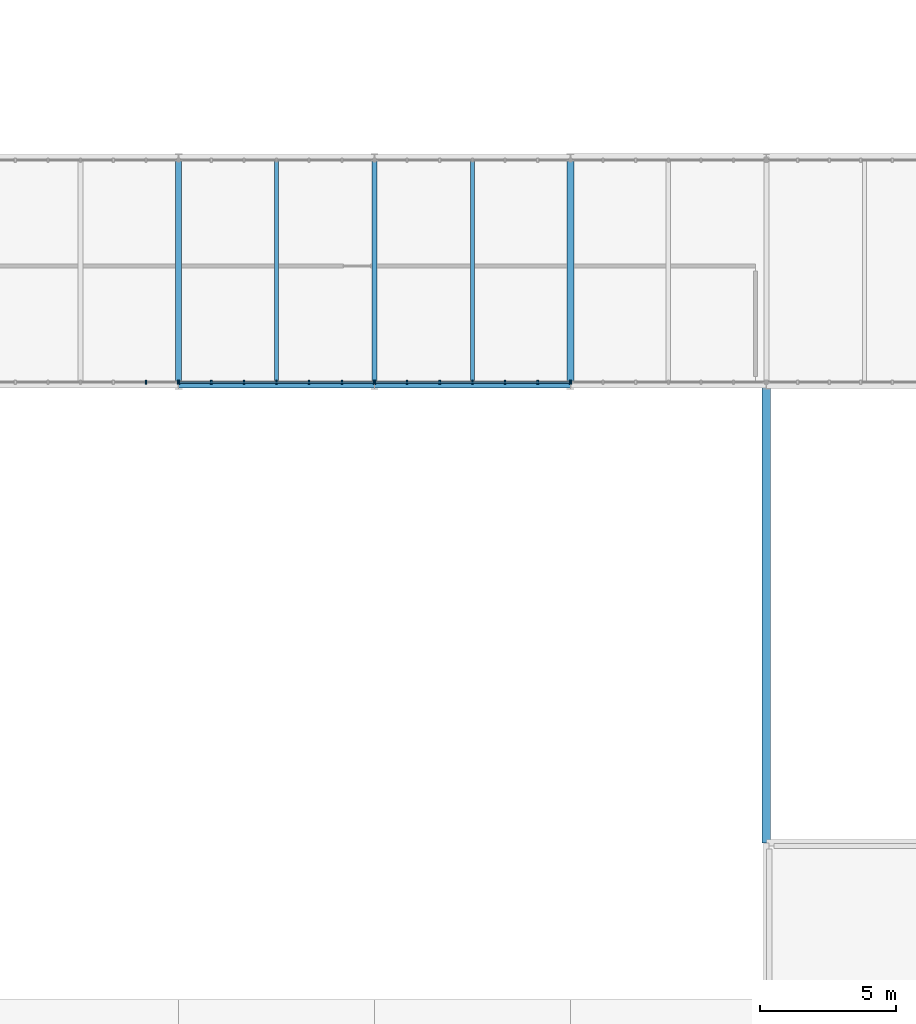
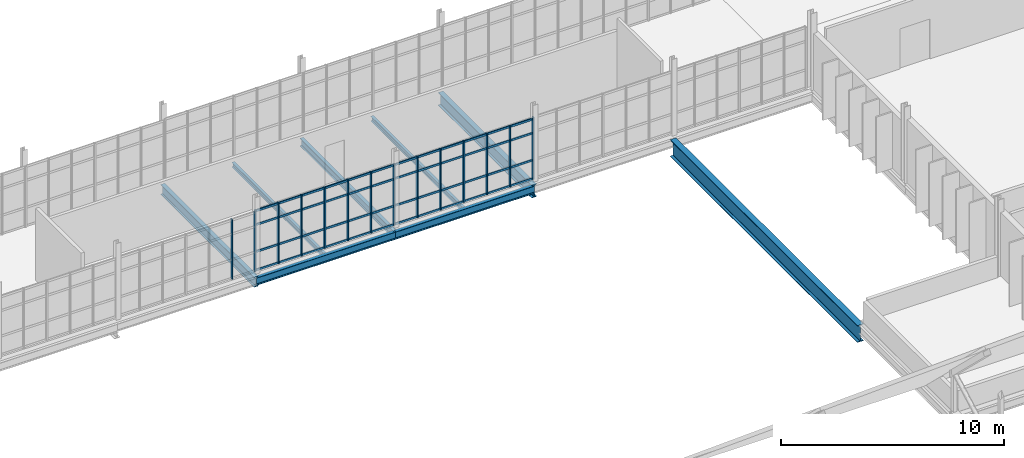
# One storey, part 32 of 99: 25 members, 8 beams, 4 elements without a shape of their own.
"""IFC4 building model written with IfcOpenShell, lengths in metres."""

from ifc_helpers import new_model, si_unit, direction, frame, origin, origin_2d, place, context, subcontext, project, spatial, rectangle, i_section, extrude, material, material_profile, profile_set, type_object, element, aggregate, save


model = new_model("IFC4")

# Units and contexts
model_context = context("Model", 3, precision=1e-05, world=origin(), true_north=direction((0.0, 1.0)))
body_context = subcontext(model_context, "Body", "Model", "MODEL_VIEW")
ifc_project = project(units=[si_unit("LENGTHUNIT", "METRE"), si_unit("AREAUNIT", "SQUARE_METRE"), si_unit("VOLUMEUNIT", "CUBIC_METRE"), si_unit("PLANEANGLEUNIT", "RADIAN"), si_unit("MASSUNIT", "GRAM", prefix="KILO")], contexts=[model_context])

# Site, building, storey
site_placement = place(None, origin())
site = spatial("IfcSite", under=ifc_project, at=site_placement, CompositionType="ELEMENT")
building_placement = place(site_placement, origin())
building = spatial("IfcBuilding", under=site, at=building_placement, Name="Qelthora Terrace Specialist Clinic", CompositionType="ELEMENT")
storey_placement = place(building_placement, frame((0.0, 0.0, 9.0)))
storey = spatial("IfcBuildingStorey", under=building, at=storey_placement, Name="L02", CompositionType="ELEMENT", Elevation=9.0)

# Beams
ifc_material_1 = material(Name="Steel S355", Category="steel")
ifc_material_profile_1 = material_profile(ifc_material_1, i_section(OverallWidth=0.178955078125, OverallDepth=0.409912109375, WebThickness=0.0087890625, FlangeThickness=0.014404296875, FilletRadius=0.011962890625, at=origin_2d()), Name="W410X67")
ifc_profile_set_1 = profile_set([ifc_material_profile_1], Name="Steel S355")
beam_type_1 = type_object("IfcBeamType", Name="BM-W410X67", PredefinedType="BEAM", material=ifc_profile_set_1)
beam_1_placement = place(storey_placement, frame((64.800048828125, 58.800048828125, -0.455078125), z_axis=(1.0, 0.0, 0.0), x_axis=(0.0, 1.0, 0.0)))
element("IfcBeam", 1, at=beam_1_placement, inside=storey, type_object=beam_type_1, Name="Girder BMX-L02-0640", PredefinedType="BEAM", context=body_context, shape_type="SweptSolid", body=[
    extrude(i_section(OverallWidth=0.178955078125, OverallDepth=0.409912109375, WebThickness=0.0087890625, FlangeThickness=0.014404296875, FilletRadius=0.011962890625, at=origin_2d()), origin(), (0.0, 0.0, 1.0), 7.199951171875),
])
ifc_material_profile_2 = material_profile(ifc_material_1, i_section(OverallWidth=0.179931640625, OverallDepth=0.4130859375, WebThickness=0.009765625, FlangeThickness=0.01611328125, FilletRadius=0.011962890625, at=origin_2d()), Name="W410X75")
ifc_profile_set_2 = profile_set([ifc_material_profile_2], Name="Steel S355")
beam_type_2 = type_object("IfcBeamType", Name="BM-W410X75", PredefinedType="BEAM", material=ifc_profile_set_2)
beam_2_placement = place(storey_placement, frame((72.0, 58.800048828125, -0.45654296875), z_axis=(1.0, 0.0, 0.0), x_axis=(0.0, 1.0, 0.0)))
element("IfcBeam", 2, at=beam_2_placement, inside=storey, type_object=beam_type_2, Name="Girder BMX-L02-0641", PredefinedType="BEAM", context=body_context, shape_type="SweptSolid", body=[
    extrude(i_section(OverallWidth=0.179931640625, OverallDepth=0.4130859375, WebThickness=0.009765625, FlangeThickness=0.01611328125, FilletRadius=0.011962890625, at=origin_2d()), origin(), (0.0, 0.0, 1.0), 7.199951171875),
])
beam_3_placement = place(storey_placement, frame((72.0, 58.800048828125, -0.45654296875), z_axis=(0.0, 1.0, 0.0), x_axis=(-1.0, 0.0, 0.0)))
element("IfcBeam", 3, at=beam_3_placement, inside=storey, type_object=beam_type_2, Name="Girder BMY-L02-0819", PredefinedType="BEAM", context=body_context, shape_type="SweptSolid", body=[
    extrude(i_section(OverallWidth=0.179931640625, OverallDepth=0.4130859375, WebThickness=0.009765625, FlangeThickness=0.01611328125, FilletRadius=0.011962890625, at=origin_2d()), origin(), (0.0, 0.0, 1.0), 8.39990234375),
])
ifc_material_profile_3 = material_profile(ifc_material_1, i_section(OverallWidth=0.2119140625, OverallDepth=0.5439453125, WebThickness=0.01318359375, FlangeThickness=0.021240234375, FilletRadius=0.013916015625, at=origin_2d()), Name="W530X123")
ifc_profile_set_3 = profile_set([ifc_material_profile_3], Name="Steel S355")
beam_type_3 = type_object("IfcBeamType", Name="BM-W530X123", PredefinedType="BEAM", material=ifc_profile_set_3)
beam_4_placement = place(storey_placement, frame((64.800048828125, 58.800048828125, -0.52197265625), z_axis=(0.0, 1.0, 0.0), x_axis=(-1.0, 0.0, 0.0)))
element("IfcBeam", 4, at=beam_4_placement, inside=storey, type_object=beam_type_3, Name="Girder BMY-L02-0815", PredefinedType="BEAM", context=body_context, shape_type="SweptSolid", body=[
    extrude(i_section(OverallWidth=0.2119140625, OverallDepth=0.5439453125, WebThickness=0.01318359375, FlangeThickness=0.021240234375, FilletRadius=0.013916015625, at=origin_2d()), origin(), (0.0, 0.0, 1.0), 8.39990234375),
])
ifc_material_profile_4 = material_profile(ifc_material_1, i_section(OverallWidth=0.256103515625, OverallDepth=0.693115234375, WebThickness=0.014404296875, FlangeThickness=0.023681640625, FilletRadius=0.01806640625, at=origin_2d()), Name="W690X170")
ifc_profile_set_4 = profile_set([ifc_material_profile_4], Name="Steel S355")
beam_type_4 = type_object("IfcBeamType", Name="BM-W690X170", PredefinedType="BEAM", material=ifc_profile_set_4)
beam_5_placement = place(storey_placement, frame((79.199951171875, 58.800048828125, -0.596435546875), z_axis=(0.0, 1.0, 0.0), x_axis=(-1.0, 0.0, 0.0)))
element("IfcBeam", 5, at=beam_5_placement, inside=storey, type_object=beam_type_4, Name="Girder BMY-L02-0823", PredefinedType="BEAM", context=body_context, shape_type="SweptSolid", body=[
    extrude(i_section(OverallWidth=0.256103515625, OverallDepth=0.693115234375, WebThickness=0.014404296875, FlangeThickness=0.023681640625, FilletRadius=0.01806640625, at=origin_2d()), origin(), (0.0, 0.0, 1.0), 8.39990234375),
])
ifc_material_profile_5 = material_profile(ifc_material_1, i_section(OverallWidth=0.30810546875, OverallDepth=0.927001953125, WebThickness=0.019287109375, FlangeThickness=0.031982421875, FilletRadius=0.02197265625, at=origin_2d()), Name="W920X289")
ifc_profile_set_5 = profile_set([ifc_material_profile_5], Name="Steel S355")
beam_type_5 = type_object("IfcBeamType", Name="BM-W920X289", PredefinedType="BEAM", material=ifc_profile_set_5)
beam_6_placement = place(storey_placement, frame((86.39990234375, 42.0, -0.71337890625), z_axis=(0.0, 1.0, 0.0), x_axis=(-1.0, 0.0, 0.0)))
element("IfcBeam", 6, at=beam_6_placement, inside=storey, type_object=beam_type_5, Name="Girder BMY-L02-0828", PredefinedType="BEAM", context=body_context, shape_type="SweptSolid", body=[
    extrude(i_section(OverallWidth=0.30810546875, OverallDepth=0.927001953125, WebThickness=0.019287109375, FlangeThickness=0.031982421875, FilletRadius=0.02197265625, at=origin_2d()), origin(), (0.0, 0.0, 1.0), 16.800048828125),
])

# Curtain wall, members
ifc_material_2 = material(Name="Aluminium anodized bronze", Category="aluminium")
curtain_wall_type = type_object("IfcCurtainWallType", Name="CW-BRG-L02", PredefinedType="NOTDEFINED", material=ifc_material_2)
curtain_wall_1_placement = place(storey_placement, origin())
curtain_wall_1 = element("IfcCurtainWall", 7, at=curtain_wall_1_placement, inside=storey, type_object=curtain_wall_type, Name="Curtain wall CW-L02-263", PredefinedType="NOTDEFINED")
ifc_material_profile_6 = material_profile(ifc_material_2, rectangle(XDim=0.06005859375, YDim=0.14990234375, at=origin_2d()), Name="CWM60X150")
ifc_profile_set_6 = profile_set([ifc_material_profile_6], Name="Aluminium anodized bronze")
member_type_1 = type_object("IfcMemberType", Name="CWM-60X150", PredefinedType="MULLION", material=ifc_profile_set_6)
member_1_placement = place(storey_placement, frame((63.60009765625, 58.919921875, 0.0), z_axis=(0.0, 0.0, 1.0), x_axis=(1.0, 0.0, 0.0)))
member_1 = element("IfcMember", 8, at=member_1_placement, type_object=member_type_1, Name="CW-L02-263 mullion 6", PredefinedType="MULLION", context=body_context, shape_type="SweptSolid", body=[
    extrude(rectangle(XDim=0.06005859375, YDim=0.14990234375, at=origin_2d()), origin(), (0.0, 0.0, 1.0), 3.25390625),
])
member_2_placement = place(storey_placement, frame((64.780029296875, 58.919921875, 0.0), z_axis=(0.0, 0.0, 1.0), x_axis=(1.0, 0.0, 0.0)))
member_2 = element("IfcMember", 9, at=member_2_placement, type_object=member_type_1, Name="CW-L02-263 mullion 7", PredefinedType="MULLION", context=body_context, shape_type="SweptSolid", body=[
    extrude(rectangle(XDim=0.06005859375, YDim=0.14990234375, at=origin_2d()), origin(), (0.0, 0.0, 1.0), 3.25390625),
])
aggregate(curtain_wall_1, [member_1, member_2])

curtain_wall_2_placement = place(storey_placement, origin())
curtain_wall_2 = element("IfcCurtainWall", 10, at=curtain_wall_2_placement, inside=storey, type_object=curtain_wall_type, Name="Curtain wall CW-L02-264", PredefinedType="NOTDEFINED")
member_3_placement = place(storey_placement, frame((64.820068359375, 58.919921875, 0.0), z_axis=(0.0, 0.0, 1.0), x_axis=(1.0, 0.0, 0.0)))
member_3 = element("IfcMember", 11, at=member_3_placement, type_object=member_type_1, Name="CW-L02-264 mullion 1", PredefinedType="MULLION", context=body_context, shape_type="SweptSolid", body=[
    extrude(rectangle(XDim=0.06005859375, YDim=0.14990234375, at=origin_2d()), origin(), (0.0, 0.0, 1.0), 3.324951171875),
])
member_4_placement = place(storey_placement, frame((66.0, 58.919921875, 0.0), z_axis=(0.0, 0.0, 1.0), x_axis=(1.0, 0.0, 0.0)))
member_4 = element("IfcMember", 12, at=member_4_placement, type_object=member_type_1, Name="CW-L02-264 mullion 2", PredefinedType="MULLION", context=body_context, shape_type="SweptSolid", body=[
    extrude(rectangle(XDim=0.06005859375, YDim=0.14990234375, at=origin_2d()), origin(), (0.0, 0.0, 1.0), 3.324951171875),
])
member_5_placement = place(storey_placement, frame((67.199951171875, 58.919921875, 0.0), z_axis=(0.0, 0.0, 1.0), x_axis=(1.0, 0.0, 0.0)))
member_5 = element("IfcMember", 13, at=member_5_placement, type_object=member_type_1, Name="CW-L02-264 mullion 3", PredefinedType="MULLION", context=body_context, shape_type="SweptSolid", body=[
    extrude(rectangle(XDim=0.06005859375, YDim=0.14990234375, at=origin_2d()), origin(), (0.0, 0.0, 1.0), 3.324951171875),
])
member_6_placement = place(storey_placement, frame((68.39990234375, 58.919921875, 0.0), z_axis=(0.0, 0.0, 1.0), x_axis=(1.0, 0.0, 0.0)))
member_6 = element("IfcMember", 14, at=member_6_placement, type_object=member_type_1, Name="CW-L02-264 mullion 4", PredefinedType="MULLION", context=body_context, shape_type="SweptSolid", body=[
    extrude(rectangle(XDim=0.06005859375, YDim=0.14990234375, at=origin_2d()), origin(), (0.0, 0.0, 1.0), 3.324951171875),
])
member_7_placement = place(storey_placement, frame((69.60009765625, 58.919921875, 0.0), z_axis=(0.0, 0.0, 1.0), x_axis=(1.0, 0.0, 0.0)))
member_7 = element("IfcMember", 15, at=member_7_placement, type_object=member_type_1, Name="CW-L02-264 mullion 5", PredefinedType="MULLION", context=body_context, shape_type="SweptSolid", body=[
    extrude(rectangle(XDim=0.06005859375, YDim=0.14990234375, at=origin_2d()), origin(), (0.0, 0.0, 1.0), 3.324951171875),
])
member_8_placement = place(storey_placement, frame((70.800048828125, 58.919921875, 0.0), z_axis=(0.0, 0.0, 1.0), x_axis=(1.0, 0.0, 0.0)))
member_8 = element("IfcMember", 16, at=member_8_placement, type_object=member_type_1, Name="CW-L02-264 mullion 6", PredefinedType="MULLION", context=body_context, shape_type="SweptSolid", body=[
    extrude(rectangle(XDim=0.06005859375, YDim=0.14990234375, at=origin_2d()), origin(), (0.0, 0.0, 1.0), 3.324951171875),
])
member_9_placement = place(storey_placement, frame((71.97998046875, 58.919921875, 0.0), z_axis=(0.0, 0.0, 1.0), x_axis=(1.0, 0.0, 0.0)))
member_9 = element("IfcMember", 17, at=member_9_placement, type_object=member_type_1, Name="CW-L02-264 mullion 7", PredefinedType="MULLION", context=body_context, shape_type="SweptSolid", body=[
    extrude(rectangle(XDim=0.06005859375, YDim=0.14990234375, at=origin_2d()), origin(), (0.0, 0.0, 1.0), 3.324951171875),
])

curtain_wall_3_placement = place(storey_placement, origin())
curtain_wall_3 = element("IfcCurtainWall", 18, at=curtain_wall_3_placement, inside=storey, type_object=curtain_wall_type, Name="Curtain wall CW-L02-265", PredefinedType="NOTDEFINED")
member_10_placement = place(storey_placement, frame((72.02001953125, 58.919921875, 0.0), z_axis=(0.0, 0.0, 1.0), x_axis=(1.0, 0.0, 0.0)))
member_10 = element("IfcMember", 19, at=member_10_placement, type_object=member_type_1, Name="CW-L02-265 mullion 1", PredefinedType="MULLION", context=body_context, shape_type="SweptSolid", body=[
    extrude(rectangle(XDim=0.06005859375, YDim=0.14990234375, at=origin_2d()), origin(), (0.0, 0.0, 1.0), 3.330078125),
])
member_11_placement = place(storey_placement, frame((73.199951171875, 58.919921875, 0.0), z_axis=(0.0, 0.0, 1.0), x_axis=(1.0, 0.0, 0.0)))
member_11 = element("IfcMember", 20, at=member_11_placement, type_object=member_type_1, Name="CW-L02-265 mullion 2", PredefinedType="MULLION", context=body_context, shape_type="SweptSolid", body=[
    extrude(rectangle(XDim=0.06005859375, YDim=0.14990234375, at=origin_2d()), origin(), (0.0, 0.0, 1.0), 3.330078125),
])
member_12_placement = place(storey_placement, frame((74.39990234375, 58.919921875, 0.0), z_axis=(0.0, 0.0, 1.0), x_axis=(1.0, 0.0, 0.0)))
member_12 = element("IfcMember", 21, at=member_12_placement, type_object=member_type_1, Name="CW-L02-265 mullion 3", PredefinedType="MULLION", context=body_context, shape_type="SweptSolid", body=[
    extrude(rectangle(XDim=0.06005859375, YDim=0.14990234375, at=origin_2d()), origin(), (0.0, 0.0, 1.0), 3.330078125),
])
member_13_placement = place(storey_placement, frame((75.60009765625, 58.919921875, 0.0), z_axis=(0.0, 0.0, 1.0), x_axis=(1.0, 0.0, 0.0)))
member_13 = element("IfcMember", 22, at=member_13_placement, type_object=member_type_1, Name="CW-L02-265 mullion 4", PredefinedType="MULLION", context=body_context, shape_type="SweptSolid", body=[
    extrude(rectangle(XDim=0.06005859375, YDim=0.14990234375, at=origin_2d()), origin(), (0.0, 0.0, 1.0), 3.330078125),
])
member_14_placement = place(storey_placement, frame((76.800048828125, 58.919921875, 0.0), z_axis=(0.0, 0.0, 1.0), x_axis=(1.0, 0.0, 0.0)))
member_14 = element("IfcMember", 23, at=member_14_placement, type_object=member_type_1, Name="CW-L02-265 mullion 5", PredefinedType="MULLION", context=body_context, shape_type="SweptSolid", body=[
    extrude(rectangle(XDim=0.06005859375, YDim=0.14990234375, at=origin_2d()), origin(), (0.0, 0.0, 1.0), 3.330078125),
])
member_15_placement = place(storey_placement, frame((78.0, 58.919921875, 0.0), z_axis=(0.0, 0.0, 1.0), x_axis=(1.0, 0.0, 0.0)))
member_15 = element("IfcMember", 24, at=member_15_placement, type_object=member_type_1, Name="CW-L02-265 mullion 6", PredefinedType="MULLION", context=body_context, shape_type="SweptSolid", body=[
    extrude(rectangle(XDim=0.06005859375, YDim=0.14990234375, at=origin_2d()), origin(), (0.0, 0.0, 1.0), 3.330078125),
])
member_16_placement = place(storey_placement, frame((79.179931640625, 58.919921875, 0.0), z_axis=(0.0, 0.0, 1.0), x_axis=(1.0, 0.0, 0.0)))
member_16 = element("IfcMember", 25, at=member_16_placement, type_object=member_type_1, Name="CW-L02-265 mullion 7", PredefinedType="MULLION", context=body_context, shape_type="SweptSolid", body=[
    extrude(rectangle(XDim=0.06005859375, YDim=0.14990234375, at=origin_2d()), origin(), (0.0, 0.0, 1.0), 3.330078125),
])

# Curtain wall, member
curtain_wall_4_placement = place(storey_placement, origin())
curtain_wall_4 = element("IfcCurtainWall", 26, at=curtain_wall_4_placement, inside=storey, type_object=curtain_wall_type, Name="Curtain wall CW-L02-266", PredefinedType="NOTDEFINED")
member_17_placement = place(storey_placement, frame((79.219970703125, 58.919921875, 0.0), z_axis=(0.0, 0.0, 1.0), x_axis=(1.0, 0.0, 0.0)))
member_17 = element("IfcMember", 27, at=member_17_placement, type_object=member_type_1, Name="CW-L02-266 mullion 1", PredefinedType="MULLION", context=body_context, shape_type="SweptSolid", body=[
    extrude(rectangle(XDim=0.06005859375, YDim=0.14990234375, at=origin_2d()), origin(), (0.0, 0.0, 1.0), 3.39794921875),
])
aggregate(curtain_wall_4, [member_17])

# Member
ifc_material_profile_7 = material_profile(ifc_material_2, rectangle(XDim=0.06005859375, YDim=0.110107421875, at=origin_2d()), Name="CWT60X110")
ifc_profile_set_7 = profile_set([ifc_material_profile_7], Name="Aluminium anodized bronze")
member_type_2 = type_object("IfcMemberType", Name="CWT-60X110", PredefinedType="USERDEFINED", material=ifc_profile_set_7)
member_18_placement = place(storey_placement, frame((64.840087890625, 58.919921875, 0.0400390625), z_axis=(1.0, 0.0, 0.0), x_axis=(0.0, 1.0, 0.0)))
member_18 = element("IfcMember", 28, at=member_18_placement, type_object=member_type_2, Name="CW-L02-264 transom 1", ObjectType="TRANSOM", PredefinedType="USERDEFINED", context=body_context, shape_type="SweptSolid", body=[
    extrude(rectangle(XDim=0.06005859375, YDim=0.110107421875, at=origin_2d()), origin(), (0.0, 0.0, 1.0), 7.119873046875),
])

member_19_placement = place(storey_placement, frame((64.840087890625, 58.919921875, 1.050048828125), z_axis=(1.0, 0.0, 0.0), x_axis=(0.0, 1.0, 0.0)))
member_19 = element("IfcMember", 29, at=member_19_placement, type_object=member_type_2, Name="CW-L02-264 transom 2", ObjectType="TRANSOM", PredefinedType="USERDEFINED", context=body_context, shape_type="SweptSolid", body=[
    extrude(rectangle(XDim=0.06005859375, YDim=0.110107421875, at=origin_2d()), origin(), (0.0, 0.0, 1.0), 7.119873046875),
])

member_20_placement = place(storey_placement, frame((64.840087890625, 58.919921875, 2.52490234375), z_axis=(1.0, 0.0, 0.0), x_axis=(0.0, 1.0, 0.0)))
member_20 = element("IfcMember", 30, at=member_20_placement, type_object=member_type_2, Name="CW-L02-264 transom 3", ObjectType="TRANSOM", PredefinedType="USERDEFINED", context=body_context, shape_type="SweptSolid", body=[
    extrude(rectangle(XDim=0.06005859375, YDim=0.110107421875, at=origin_2d()), origin(), (0.0, 0.0, 1.0), 7.119873046875),
])

member_21_placement = place(storey_placement, frame((64.840087890625, 58.919921875, 3.284912109375), z_axis=(1.0, 0.0, 0.0), x_axis=(0.0, 1.0, 0.0)))
member_21 = element("IfcMember", 31, at=member_21_placement, type_object=member_type_2, Name="CW-L02-264 transom 4", ObjectType="TRANSOM", PredefinedType="USERDEFINED", context=body_context, shape_type="SweptSolid", body=[
    extrude(rectangle(XDim=0.06005859375, YDim=0.110107421875, at=origin_2d()), origin(), (0.0, 0.0, 1.0), 7.119873046875),
])

aggregate(curtain_wall_2, [member_3, member_4, member_5, member_6, member_7, member_8, member_9, member_18, member_19, member_20, member_21])

member_22_placement = place(storey_placement, frame((72.0400390625, 58.919921875, 0.0400390625), z_axis=(1.0, 0.0, 0.0), x_axis=(0.0, 1.0, 0.0)))
member_22 = element("IfcMember", 32, at=member_22_placement, type_object=member_type_2, Name="CW-L02-265 transom 1", ObjectType="TRANSOM", PredefinedType="USERDEFINED", context=body_context, shape_type="SweptSolid", body=[
    extrude(rectangle(XDim=0.06005859375, YDim=0.110107421875, at=origin_2d()), origin(), (0.0, 0.0, 1.0), 7.119873046875),
])

member_23_placement = place(storey_placement, frame((72.0400390625, 58.919921875, 1.050048828125), z_axis=(1.0, 0.0, 0.0), x_axis=(0.0, 1.0, 0.0)))
member_23 = element("IfcMember", 33, at=member_23_placement, type_object=member_type_2, Name="CW-L02-265 transom 2", ObjectType="TRANSOM", PredefinedType="USERDEFINED", context=body_context, shape_type="SweptSolid", body=[
    extrude(rectangle(XDim=0.06005859375, YDim=0.110107421875, at=origin_2d()), origin(), (0.0, 0.0, 1.0), 7.119873046875),
])

member_24_placement = place(storey_placement, frame((72.0400390625, 58.919921875, 2.530029296875), z_axis=(1.0, 0.0, 0.0), x_axis=(0.0, 1.0, 0.0)))
member_24 = element("IfcMember", 34, at=member_24_placement, type_object=member_type_2, Name="CW-L02-265 transom 3", ObjectType="TRANSOM", PredefinedType="USERDEFINED", context=body_context, shape_type="SweptSolid", body=[
    extrude(rectangle(XDim=0.06005859375, YDim=0.110107421875, at=origin_2d()), origin(), (0.0, 0.0, 1.0), 7.119873046875),
])

member_25_placement = place(storey_placement, frame((72.0400390625, 58.919921875, 3.2900390625), z_axis=(1.0, 0.0, 0.0), x_axis=(0.0, 1.0, 0.0)))
member_25 = element("IfcMember", 35, at=member_25_placement, type_object=member_type_2, Name="CW-L02-265 transom 4", ObjectType="TRANSOM", PredefinedType="USERDEFINED", context=body_context, shape_type="SweptSolid", body=[
    extrude(rectangle(XDim=0.06005859375, YDim=0.110107421875, at=origin_2d()), origin(), (0.0, 0.0, 1.0), 7.119873046875),
])

aggregate(curtain_wall_3, [member_10, member_11, member_12, member_13, member_14, member_15, member_16, member_22, member_23, member_24, member_25])

# Beams
ifc_material_profile_8 = material_profile(ifc_material_1, i_section(OverallWidth=0.14599609375, OverallDepth=0.258056640625, WebThickness=0.006103515625, FlangeThickness=0.009033203125, FilletRadius=0.009033203125, at=origin_2d()), Name="W250X33")
ifc_profile_set_8 = profile_set([ifc_material_profile_8], Name="Steel S355")
beam_type_6 = type_object("IfcBeamType", Name="JST-W250X33", PredefinedType="JOIST", material=ifc_profile_set_8)
beam_7_placement = place(storey_placement, frame((75.60009765625, 58.889892578125, -0.37890625), z_axis=(0.0, 1.0, 0.0), x_axis=(-1.0, 0.0, 0.0)))
element("IfcBeam", 36, at=beam_7_placement, inside=storey, type_object=beam_type_6, Name="Composite floor joist JST-L02-0174", PredefinedType="JOIST", context=body_context, shape_type="SweptSolid", body=[
    extrude(i_section(OverallWidth=0.14599609375, OverallDepth=0.258056640625, WebThickness=0.006103515625, FlangeThickness=0.009033203125, FilletRadius=0.009033203125, at=origin_2d()), origin(), (0.0, 0.0, 1.0), 8.220703125),
])
ifc_material_profile_9 = material_profile(ifc_material_1, i_section(OverallWidth=0.14697265625, OverallDepth=0.261962890625, WebThickness=0.006591796875, FlangeThickness=0.01123046875, FilletRadius=0.009033203125, at=origin_2d()), Name="W250X39")
ifc_profile_set_9 = profile_set([ifc_material_profile_9], Name="Steel S355")
beam_type_7 = type_object("IfcBeamType", Name="JST-W250X39", PredefinedType="JOIST", material=ifc_profile_set_9)
beam_8_placement = place(storey_placement, frame((68.39990234375, 58.889404296875, -0.381103515625), z_axis=(0.0, 1.0, 0.0), x_axis=(-1.0, 0.0, 0.0)))
element("IfcBeam", 37, at=beam_8_placement, inside=storey, type_object=beam_type_7, Name="Composite floor joist JST-L02-0173", PredefinedType="JOIST", context=body_context, shape_type="SweptSolid", body=[
    extrude(i_section(OverallWidth=0.14697265625, OverallDepth=0.261962890625, WebThickness=0.006591796875, FlangeThickness=0.01123046875, FilletRadius=0.009033203125, at=origin_2d()), origin(), (0.0, 0.0, 1.0), 8.215087890625),
])

save(model, "model.ifc")
